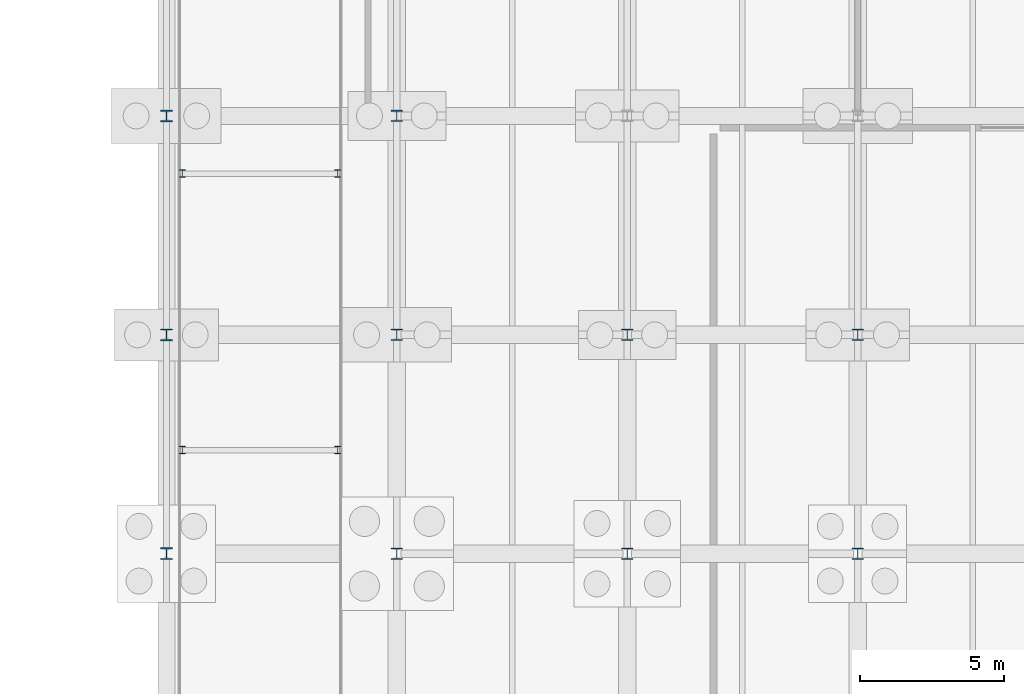
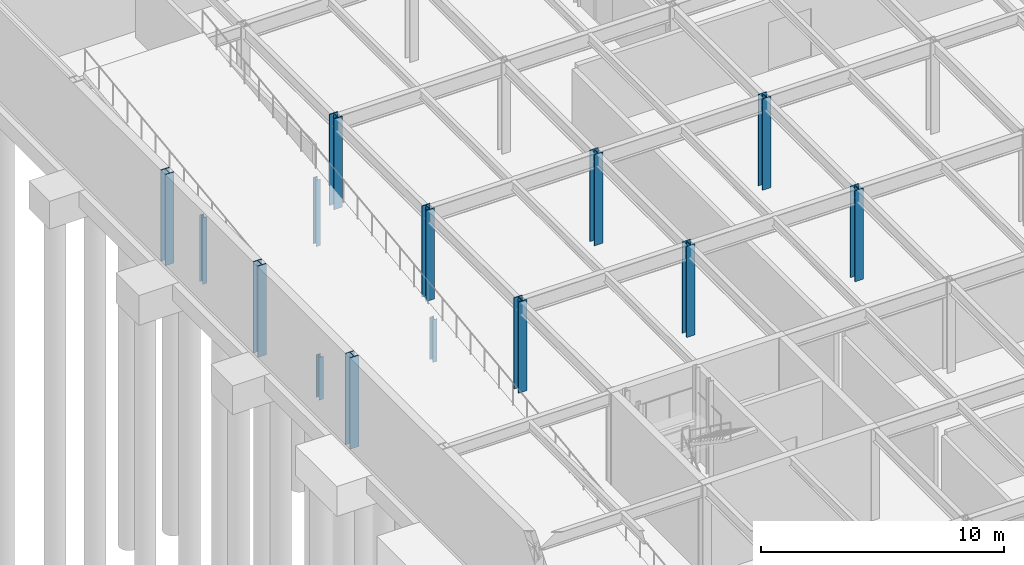
# One storey, part 10 of 21: 14 columns.
"""IFC4 building model written with IfcOpenShell, lengths in metres."""

from ifc_helpers import new_model, si_unit, direction, frame, origin, origin_2d, place, context, subcontext, project, spatial, i_section, extrude, material, material_profile, profile_set, type_object, element, save


model = new_model("IFC4")

# Units and contexts
model_context = context("Model", 3, precision=1e-05, world=origin(), true_north=direction((0.0, 1.0)))
body_context = subcontext(model_context, "Body", "Model", "MODEL_VIEW")
ifc_project = project(units=[si_unit("LENGTHUNIT", "METRE"), si_unit("AREAUNIT", "SQUARE_METRE"), si_unit("VOLUMEUNIT", "CUBIC_METRE"), si_unit("PLANEANGLEUNIT", "RADIAN"), si_unit("MASSUNIT", "GRAM", prefix="KILO")], contexts=[model_context])

# Site, building, storey
site_placement = place(None, origin())
site = spatial("IfcSite", under=ifc_project, at=site_placement, CompositionType="ELEMENT")
building_placement = place(site_placement, origin())
building = spatial("IfcBuilding", under=site, at=building_placement, Name="Zulena Civic Courthouse", CompositionType="ELEMENT")
storey_placement = place(building_placement, frame((0.0, 0.0, -4.800048828125)))
storey = spatial("IfcBuildingStorey", under=building, at=storey_placement, Name="B01", CompositionType="ELEMENT", Elevation=-4.800048828125)

# Columns
ifc_material = material(Name="Steel ASTM A992 Grade 50", Category="steel")
ifc_material_profile_1 = material_profile(ifc_material, i_section(OverallWidth=0.2041015625, OverallDepth=0.257080078125, WebThickness=0.0087890625, FlangeThickness=0.015625, FilletRadius=0.0126953125, at=origin_2d()), Name="W10X45")
ifc_profile_set_1 = profile_set([ifc_material_profile_1], Name="Steel ASTM A992 Grade 50")
column_type_1 = type_object("IfcColumnType", Name="Col_W10X45", PredefinedType="COLUMN", material=ifc_profile_set_1)
for number, where, z_axis, x_axis, name in (
    (1, (68.550048828125, 87.199951171875, 0.0), (0.0, 0.0, 1.0), (1.0, 0.0, 0.0), "col:vramp:B01:1:68.55"),
    (2, (73.949951171875, 87.199951171875, 0.0), (0.0, 0.0, 1.0), (1.0, 0.0, 0.0), "col:vramp:B01:1:73.95"),
):
    element("IfcColumn", number, at=place(storey_placement, frame(where, z_axis=z_axis, x_axis=x_axis)), inside=storey, type_object=column_type_1, Name=name, PredefinedType="COLUMN", context=body_context, shape_type="SweptSolid", body=[
        extrude(i_section(OverallWidth=0.2041015625, OverallDepth=0.257080078125, WebThickness=0.0087890625, FlangeThickness=0.015625, FilletRadius=0.0126953125, at=origin_2d()), origin(), (0.0, 0.0, 1.0), 2.14501953125),
    ])
for number, where, z_axis, x_axis, name in (
    (3, (68.550048828125, 96.800048828125, 0.0), (0.0, 0.0, 1.0), (1.0, 0.0, 0.0), "col:vramp:B01:2:68.55"),
    (4, (73.949951171875, 96.800048828125, 0.0), (0.0, 0.0, 1.0), (1.0, 0.0, 0.0), "col:vramp:B01:2:73.95"),
):
    element("IfcColumn", number, at=place(storey_placement, frame(where, z_axis=z_axis, x_axis=x_axis)), inside=storey, type_object=column_type_1, Name=name, PredefinedType="COLUMN", context=body_context, shape_type="SweptSolid", body=[
        extrude(i_section(OverallWidth=0.2041015625, OverallDepth=0.257080078125, WebThickness=0.0087890625, FlangeThickness=0.015625, FilletRadius=0.0126953125, at=origin_2d()), origin(), (0.0, 0.0, 1.0), 3.344970703125),
    ])
ifc_material_profile_2 = material_profile(ifc_material, i_section(OverallWidth=0.40087890625, OverallDepth=0.39892578125, WebThickness=0.02490234375, FlangeThickness=0.03955078125, FilletRadius=0.01513671875, at=origin_2d()), Name="W14X211")
ifc_profile_set_2 = profile_set([ifc_material_profile_2], Name="Steel ASTM A992 Grade 50")
column_type_2 = type_object("IfcColumnType", Name="Col_W14X211", PredefinedType="COLUMN", material=ifc_profile_set_2)
for number, where, z_axis, x_axis, name in (
    (5, (76.0, 83.60009765625, 0.0), (0.0, 0.0, 1.0), (1.0, 0.0, 0.0), "col:V5:B01:76.0:83.6"),
    (6, (76.0, 91.199951171875, 0.0), (0.0, 0.0, 1.0), (1.0, 0.0, 0.0), "col:V5:B01:76.0:91.2"),
    (7, (76.0, 98.800048828125, 0.0), (0.0, 0.0, 1.0), (1.0, 0.0, 0.0), "col:V5:B01:76.0:98.8"),
    (8, (84.0, 83.60009765625, 0.0), (0.0, 0.0, 1.0), (1.0, 0.0, 0.0), "col:V5:B01:84.0:83.6"),
    (9, (84.0, 91.199951171875, 0.0), (0.0, 0.0, 1.0), (1.0, 0.0, 0.0), "col:V5:B01:84.0:91.2"),
    (10, (92.0, 83.60009765625, 0.0), (0.0, 0.0, 1.0), (1.0, 0.0, 0.0), "col:V5:B01:92.0:83.6"),
    (11, (92.0, 91.199951171875, 0.0), (0.0, 0.0, 1.0), (1.0, 0.0, 0.0), "col:V5:B01:92.0:91.2"),
):
    element("IfcColumn", number, at=place(storey_placement, frame(where, z_axis=z_axis, x_axis=x_axis)), inside=storey, type_object=column_type_2, Name=name, PredefinedType="COLUMN", context=body_context, shape_type="SweptSolid", body=[
        extrude(i_section(OverallWidth=0.40087890625, OverallDepth=0.39892578125, WebThickness=0.02490234375, FlangeThickness=0.03955078125, FilletRadius=0.01513671875, at=origin_2d()), origin(), (0.0, 0.0, 1.0), 4.580078125),
    ])
ifc_material_profile_3 = material_profile(ifc_material, i_section(OverallWidth=0.406005859375, OverallDepth=0.416015625, WebThickness=0.02978515625, FlangeThickness=0.048095703125, FilletRadius=0.01513671875, at=origin_2d()), Name="W14X257")
ifc_profile_set_3 = profile_set([ifc_material_profile_3], Name="Steel ASTM A992 Grade 50")
column_type_3 = type_object("IfcColumnType", Name="Col_W14X257", PredefinedType="COLUMN", material=ifc_profile_set_3)
for number, where, z_axis, x_axis, name in (
    (12, (68.0, 83.60009765625, 0.0), (0.0, 0.0, 1.0), (1.0, 0.0, 0.0), "col:V5:B01:68.0:83.6"),
    (13, (68.0, 91.199951171875, 0.0), (0.0, 0.0, 1.0), (1.0, 0.0, 0.0), "col:V5:B01:68.0:91.2"),
    (14, (68.0, 98.800048828125, 0.0), (0.0, 0.0, 1.0), (1.0, 0.0, 0.0), "col:V5:B01:68.0:98.8"),
):
    element("IfcColumn", number, at=place(storey_placement, frame(where, z_axis=z_axis, x_axis=x_axis)), inside=storey, type_object=column_type_3, Name=name, PredefinedType="COLUMN", context=body_context, shape_type="SweptSolid", body=[
        extrude(i_section(OverallWidth=0.406005859375, OverallDepth=0.416015625, WebThickness=0.02978515625, FlangeThickness=0.048095703125, FilletRadius=0.01513671875, at=origin_2d()), origin(), (0.0, 0.0, 1.0), 4.580078125),
    ])

save(model, "model.ifc")
